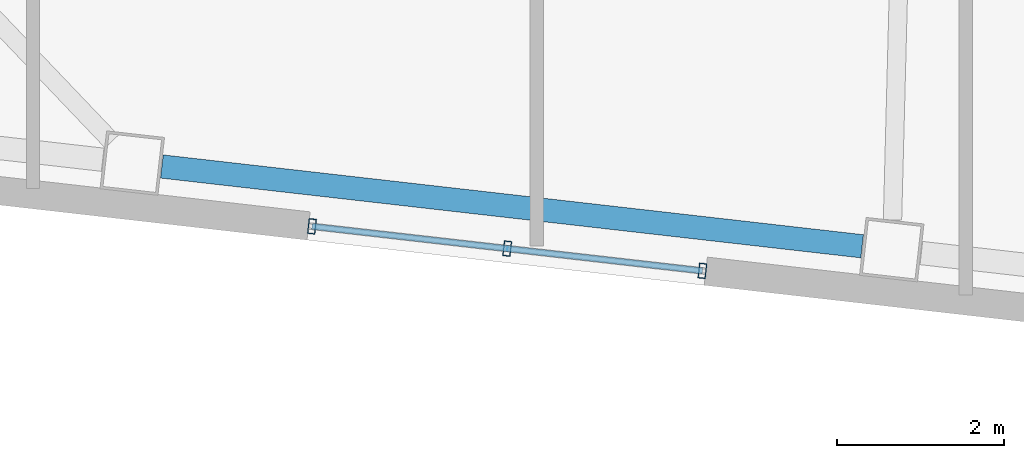
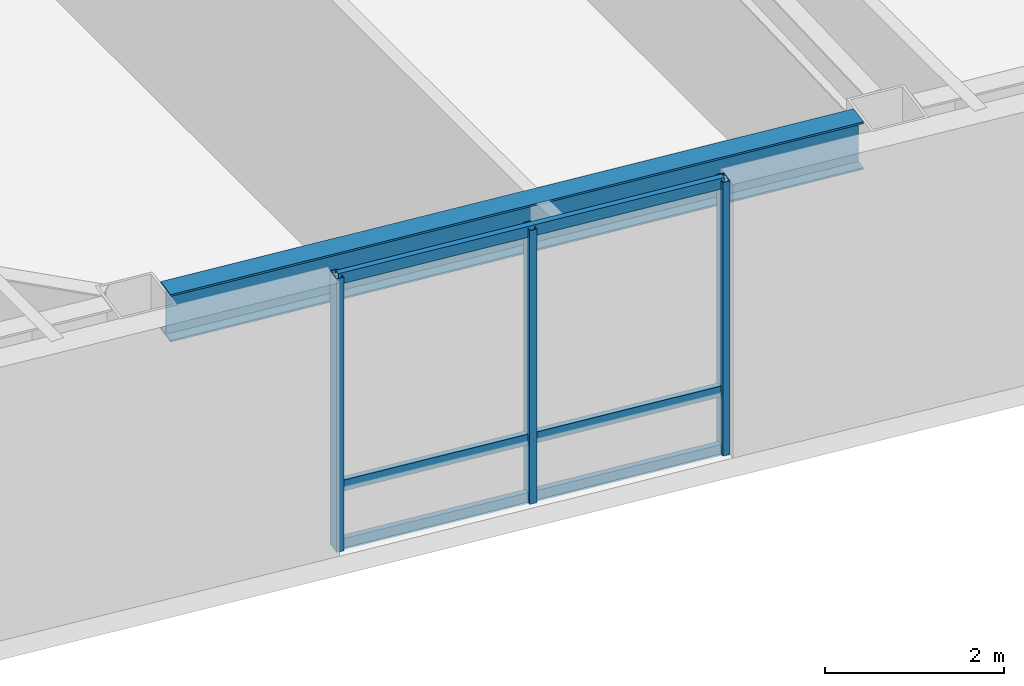
# One storey, part 4 of 22: 6 members, 1 beam, 1 element without a shape of its own.
"""IFC4 building model written with IfcOpenShell, lengths in metres."""

from ifc_helpers import new_model, si_unit, direction, frame, origin, origin_2d, place, context, subcontext, project, spatial, hollow_rectangle, i_section, extrude, material, layer, layer_set, material_profile, profile_set, type_object, element, aggregate, save


model = new_model("IFC4")

# Units and contexts
model_context = context("Model", 3, precision=1e-05, world=origin(), true_north=direction((0.0, 1.0)))
body_context = subcontext(model_context, "Body", "Model", "MODEL_VIEW")
ifc_project = project(units=[si_unit("LENGTHUNIT", "METRE"), si_unit("AREAUNIT", "SQUARE_METRE"), si_unit("VOLUMEUNIT", "CUBIC_METRE"), si_unit("PLANEANGLEUNIT", "RADIAN"), si_unit("MASSUNIT", "GRAM", prefix="KILO")], contexts=[model_context])

# Site, building, storey
site_placement = place(None, origin())
site = spatial("IfcSite", under=ifc_project, at=site_placement, CompositionType="ELEMENT")
building_placement = place(site_placement, origin())
building = spatial("IfcBuilding", under=site, at=building_placement, Name="Tavrogorsk Clinical Tower", CompositionType="ELEMENT")
storey_placement = place(building_placement, frame((0.0, 0.0, 117.39990234375)))
storey = spatial("IfcBuildingStorey", under=building, at=storey_placement, Name="L26", CompositionType="ELEMENT", Elevation=117.39990234375)

# Curtain wall, members
ifc_material_1 = material(Name="Anodised aluminium and triple IGU glazing", Category="aluminium")
ifc_layer = layer(ifc_material_1, 0.179931640625)
ifc_layer_set = layer_set([ifc_layer], Name="Anodised aluminium and triple IGU glazing")
curtain_wall_type = type_object("IfcCurtainWallType", Name="CW3_SouthSlot", PredefinedType="NOTDEFINED", material=ifc_layer_set)
curtain_wall_placement = place(storey_placement, origin())
curtain_wall = element("IfcCurtainWall", 1, at=curtain_wall_placement, inside=storey, type_object=curtain_wall_type, Name="L26 Curtain Wall CW-L26-S-SLOT-1", PredefinedType="NOTDEFINED")
ifc_material_2 = material(Name="Anodised aluminium alloy AW-6060", Category="aluminium")
ifc_material_profile_1 = material_profile(ifc_material_2, hollow_rectangle(XDim=0.090087890625, YDim=0.179931640625, WallThickness=0.00634765625, at=origin_2d()), Name="RHS-180x90x6.3")
ifc_profile_set_1 = profile_set([ifc_material_profile_1], Name="Anodised aluminium alloy AW-6060")
member_type_1 = type_object("IfcMemberType", Name="CwMullion_180x90", PredefinedType="MULLION", material=ifc_profile_set_1)
member_1_placement = place(storey_placement, frame((-11.850341796875, -24.9658203125, 0.0), z_axis=(0.0, 0.0, 1.0), x_axis=(0.993571855603, -0.11320321441, 0.0)))
member_1 = element("IfcMember", 2, at=member_1_placement, type_object=member_type_1, Name="CW-L26-S-SLOT-1 Mullion 1", PredefinedType="MULLION", context=body_context, shape_type="SweptSolid", body=[
    extrude(hollow_rectangle(XDim=0.090087890625, YDim=0.179931640625, WallThickness=0.00634765625, at=origin_2d()), origin(), (0.0, 0.0, 1.0), 3.739990234375),
])
member_2_placement = place(storey_placement, frame((-9.50634765625, -25.23291015625, 0.0), z_axis=(0.0, 0.0, 1.0), x_axis=(0.993571855603, -0.11320321441, 0.0)))
member_2 = element("IfcMember", 3, at=member_2_placement, type_object=member_type_1, Name="CW-L26-S-SLOT-1 Mullion 2", PredefinedType="MULLION", context=body_context, shape_type="SweptSolid", body=[
    extrude(hollow_rectangle(XDim=0.090087890625, YDim=0.179931640625, WallThickness=0.00634765625, at=origin_2d()), origin(), (0.0, 0.0, 1.0), 3.739990234375),
])
member_3_placement = place(storey_placement, frame((-7.16259765625, -25.499755859375, 0.0), z_axis=(0.0, 0.0, 1.0), x_axis=(0.993571855603, -0.11320321441, 0.0)))
member_3 = element("IfcMember", 4, at=member_3_placement, type_object=member_type_1, Name="CW-L26-S-SLOT-1 Mullion 3", PredefinedType="MULLION", context=body_context, shape_type="SweptSolid", body=[
    extrude(hollow_rectangle(XDim=0.090087890625, YDim=0.179931640625, WallThickness=0.00634765625, at=origin_2d()), origin(), (0.0, 0.0, 1.0), 3.739990234375),
])
ifc_material_3 = material(Name="Anodised aluminium alloy AW-6060", Category="aluminium")
ifc_material_profile_2 = material_profile(ifc_material_3, hollow_rectangle(XDim=0.074951171875, YDim=0.14990234375, WallThickness=0.0048828125, at=origin_2d()), Name="RHS-150x75x5")
ifc_profile_set_2 = profile_set([ifc_material_profile_2], Name="Anodised aluminium alloy AW-6060")
member_type_2 = type_object("IfcMemberType", Name="CwTransom_150x75", PredefinedType="USERDEFINED", material=ifc_profile_set_2)
member_4_placement = place(storey_placement, frame((-11.850341796875, -24.9658203125, 0.050048828125), z_axis=(0.993575798904, -0.113168599146, 0.0), x_axis=(0.113168599146, 0.993575798904, 0.0)))
member_4 = element("IfcMember", 5, at=member_4_placement, type_object=member_type_2, Name="CW-L26-S-SLOT-1 Transom 1", ObjectType="TRANSOM", PredefinedType="USERDEFINED", context=body_context, shape_type="SweptSolid", body=[
    extrude(hollow_rectangle(XDim=0.074951171875, YDim=0.14990234375, WallThickness=0.0048828125, at=origin_2d()), origin(), (0.0, 0.0, 1.0), 4.718017578125),
])
member_5_placement = place(storey_placement, frame((-11.850341796875, -24.9658203125, 0.85009765625), z_axis=(0.993575798904, -0.113168599146, 0.0), x_axis=(0.113168599146, 0.993575798904, 0.0)))
member_5 = element("IfcMember", 6, at=member_5_placement, type_object=member_type_2, Name="CW-L26-S-SLOT-1 Transom 2", ObjectType="TRANSOM", PredefinedType="USERDEFINED", context=body_context, shape_type="SweptSolid", body=[
    extrude(hollow_rectangle(XDim=0.074951171875, YDim=0.14990234375, WallThickness=0.0048828125, at=origin_2d()), origin(), (0.0, 0.0, 1.0), 4.718017578125),
])
member_6_placement = place(storey_placement, frame((-11.850341796875, -24.9658203125, 3.690185546875), z_axis=(0.993575798904, -0.113168599146, 0.0), x_axis=(0.113168599146, 0.993575798904, 0.0)))
member_6 = element("IfcMember", 7, at=member_6_placement, type_object=member_type_2, Name="CW-L26-S-SLOT-1 Transom 3", ObjectType="TRANSOM", PredefinedType="USERDEFINED", context=body_context, shape_type="SweptSolid", body=[
    extrude(hollow_rectangle(XDim=0.074951171875, YDim=0.14990234375, WallThickness=0.0048828125, at=origin_2d()), origin(), (0.0, 0.0, 1.0), 4.718017578125),
])
aggregate(curtain_wall, [member_1, member_2, member_3, member_4, member_5, member_6])

# Beam
ifc_material_4 = material(Name="Structural steel S390", Category="steel")
ifc_material_profile_3 = material_profile(ifc_material_4, i_section(OverallWidth=0.280029296875, OverallDepth=0.64990234375, WebThickness=0.01611328125, FlangeThickness=0.02490234375, at=origin_2d()), Name="B-650x280x16x25")
ifc_profile_set_3 = profile_set([ifc_material_profile_3], Name="Structural steel S390")
beam_type = type_object("IfcBeamType", Name="SpandrelBeam_B650", PredefinedType="SPANDREL", material=ifc_profile_set_3)
beam_placement = place(storey_placement, frame((-13.652099609375, -24.2470703125, 3.4150390625), z_axis=(0.993569449752, -0.113224328304, 0.0), x_axis=(0.113224328304, 0.993569449752, 0.0)))
element("IfcBeam", 8, at=beam_placement, inside=storey, type_object=beam_type, Name="L26 Perimeter Spandrel S3-S4", PredefinedType="SPANDREL", context=body_context, shape_type="SweptSolid", body=[
    extrude(i_section(OverallWidth=0.280029296875, OverallDepth=0.64990234375, WebThickness=0.01611328125, FlangeThickness=0.02490234375, at=origin_2d()), origin(), (0.0, 0.0, 1.0), 8.461181640625),
])

save(model, "model.ifc")
